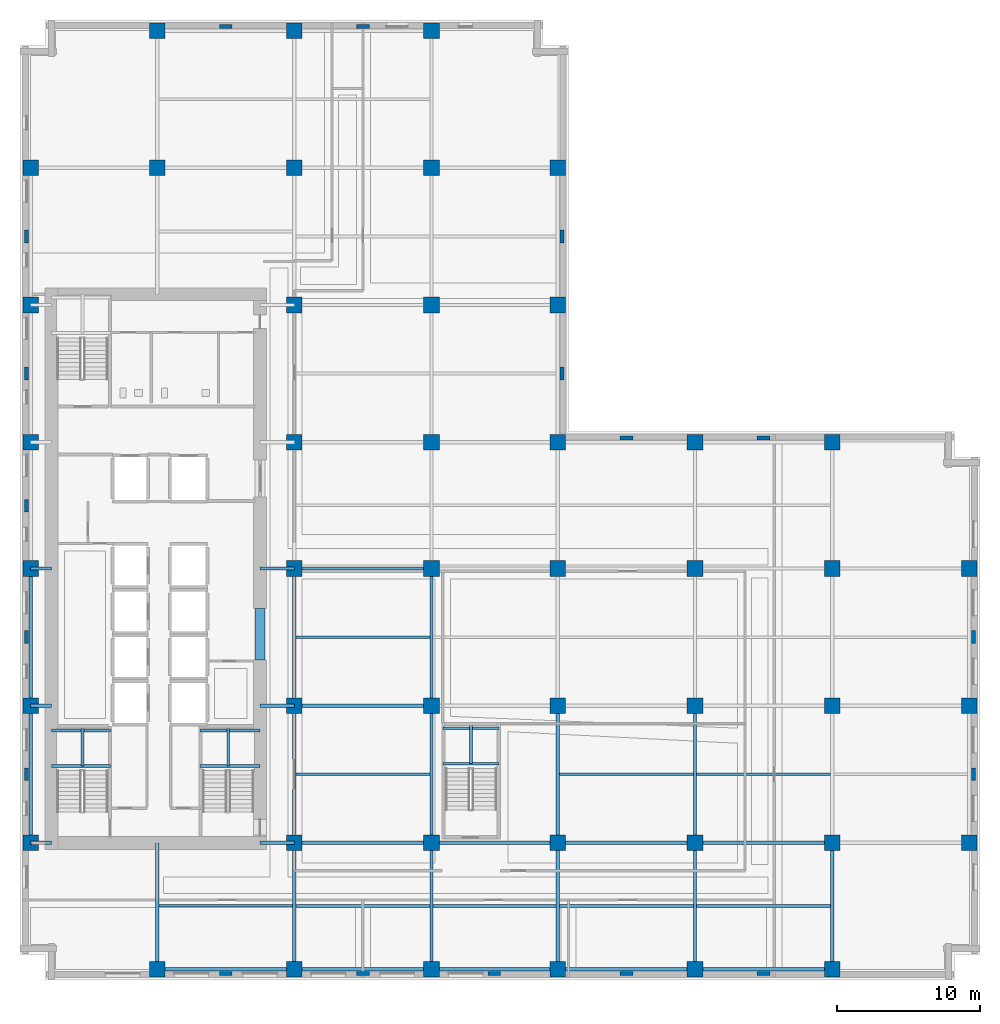
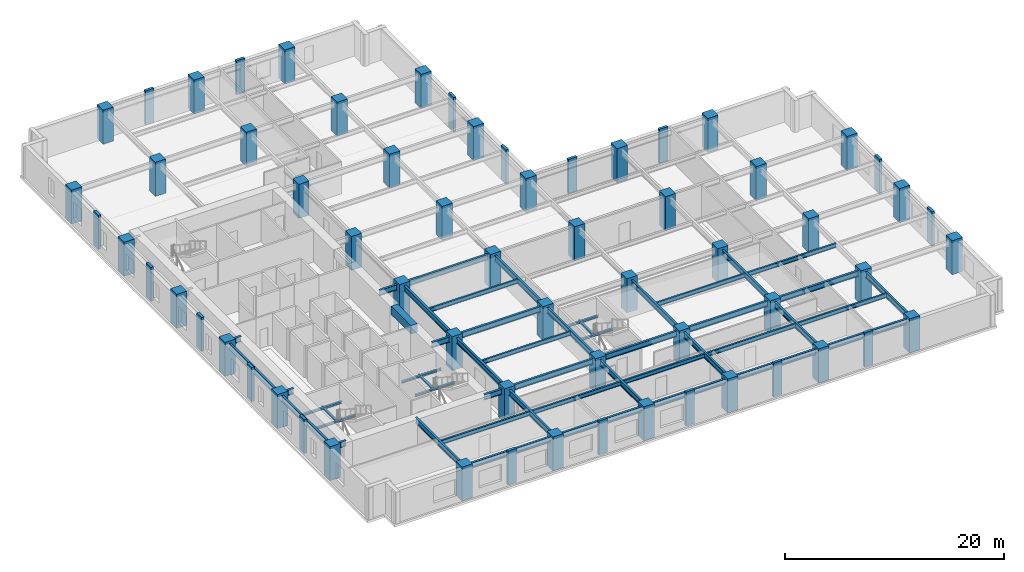
# One storey, part 1 of 13: 63 columns, 50 beams.
"""IFC4 building model written with IfcOpenShell, lengths in metres."""

from ifc_helpers import new_model, si_unit, direction, frame, origin, origin_2d, place, context, subcontext, project, spatial, rectangle, i_section, extrude, material, material_profile, profile_set, type_object, element, save


model = new_model("IFC4")

# Units and contexts
model_context = context("Model", 3, precision=1e-05, world=origin(), true_north=direction((0.0, 1.0)))
body_context = subcontext(model_context, "Body", "Model", "MODEL_VIEW")
ifc_project = project(units=[si_unit("LENGTHUNIT", "METRE"), si_unit("AREAUNIT", "SQUARE_METRE"), si_unit("VOLUMEUNIT", "CUBIC_METRE"), si_unit("PLANEANGLEUNIT", "RADIAN"), si_unit("MASSUNIT", "GRAM", prefix="KILO")], contexts=[model_context])

# Site, building, storey
site_placement = place(None, origin())
site = spatial("IfcSite", under=ifc_project, at=site_placement, CompositionType="ELEMENT")
building_placement = place(site_placement, origin())
building = spatial("IfcBuilding", under=site, at=building_placement, Name="Norrvale University Quadrangle", CompositionType="ELEMENT")
storey_placement = place(building_placement, frame((0.0, 0.0, 69.800048828125)))
storey = spatial("IfcBuildingStorey", under=building, at=storey_placement, Name="L17", CompositionType="ELEMENT", Elevation=69.800048828125)

# Columns
ifc_material_1 = material(Name="Buff Brick Concrete C60/75", Category="concrete")
ifc_material_profile_1 = material_profile(ifc_material_1, rectangle(XDim=0.89990234375, YDim=0.280029296875, at=origin_2d()), Name="Buff Brick Concrete C60/75")
ifc_profile_set_1 = profile_set([ifc_material_profile_1], Name="Buff Brick Concrete C60/75")
column_type_1 = type_object("IfcColumnType", Name="Column Buff Pier 900x280", PredefinedType="PILASTER", material=ifc_profile_set_1)
for number, where, z_axis, x_axis, name in (
    (1, (0.449951171875, 14.39990234375, 0.0), (0.0, 0.0, 1.0), (0.0, 1.0, 0.0), "Exterior Brick Facade Pilaster L17-01"),
    (2, (0.449951171875, 24.0, 0.0), (0.0, 0.0, 1.0), (0.0, 1.0, 0.0), "Exterior Brick Facade Pilaster L17-02"),
    (3, (0.449951171875, 33.199951171875, 0.0), (0.0, 0.0, 1.0), (0.0, 1.0, 0.0), "Exterior Brick Facade Pilaster L17-03"),
    (4, (0.449951171875, 42.449951171875, 0.0), (0.0, 0.0, 1.0), (0.0, 1.0, 0.0), "Exterior Brick Facade Pilaster L17-04"),
    (5, (0.449951171875, 52.050048828125, 0.0), (0.0, 0.0, 1.0), (0.0, 1.0, 0.0), "Exterior Brick Facade Pilaster L17-05"),
    (6, (14.39990234375, 0.449951171875, 0.0), (0.0, 0.0, 1.0), (1.0, 0.0, 0.0), "Exterior Brick Facade Pilaster L17-06"),
    (7, (24.0, 0.449951171875, 0.0), (0.0, 0.0, 1.0), (1.0, 0.0, 0.0), "Exterior Brick Facade Pilaster L17-07"),
    (8, (33.199951171875, 0.449951171875, 0.0), (0.0, 0.0, 1.0), (1.0, 0.0, 0.0), "Exterior Brick Facade Pilaster L17-08"),
    (9, (42.449951171875, 0.449951171875, 0.0), (0.0, 0.0, 1.0), (1.0, 0.0, 0.0), "Exterior Brick Facade Pilaster L17-09"),
    (10, (52.050048828125, 0.449951171875, 0.0), (0.0, 0.0, 1.0), (1.0, 0.0, 0.0), "Exterior Brick Facade Pilaster L17-10"),
    (11, (66.75, 14.39990234375, 0.0), (0.0, 0.0, 1.0), (0.0, 1.0, 0.0), "Exterior Brick Facade Pilaster L17-11"),
    (12, (66.75, 24.0, 0.0), (0.0, 0.0, 1.0), (0.0, 1.0, 0.0), "Exterior Brick Facade Pilaster L17-12"),
    (13, (14.39990234375, 66.75, 0.0), (0.0, 0.0, 1.0), (1.0, 0.0, 0.0), "Exterior Brick Facade Pilaster L17-13"),
    (14, (24.0, 66.75, 0.0), (0.0, 0.0, 1.0), (1.0, 0.0, 0.0), "Exterior Brick Facade Pilaster L17-14"),
    (15, (37.949951171875, 42.449951171875, 0.0), (0.0, 0.0, 1.0), (0.0, 1.0, 0.0), "Exterior Brick Facade Pilaster L17-15"),
    (16, (37.949951171875, 52.050048828125, 0.0), (0.0, 0.0, 1.0), (0.0, 1.0, 0.0), "Exterior Brick Facade Pilaster L17-16"),
    (17, (42.449951171875, 37.949951171875, 0.0), (0.0, 0.0, 1.0), (1.0, 0.0, 0.0), "Exterior Brick Facade Pilaster L17-17"),
    (18, (52.050048828125, 37.949951171875, 0.0), (0.0, 0.0, 1.0), (1.0, 0.0, 0.0), "Exterior Brick Facade Pilaster L17-18"),
):
    element("IfcColumn", number, at=place(storey_placement, frame(where, z_axis=z_axis, x_axis=x_axis)), inside=storey, type_object=column_type_1, Name=name, PredefinedType="PILASTER", context=body_context, shape_type="SweptSolid", body=[
        extrude(rectangle(XDim=0.89990234375, YDim=0.280029296875, at=origin_2d()), origin(), (0.0, 0.0, 1.0), 3.800048828125),
    ])
ifc_material_2 = material(Name="Concrete C80/95", Category="concrete")
ifc_material_profile_2 = material_profile(ifc_material_2, rectangle(XDim=1.10009765625, YDim=1.10009765625, at=origin_2d()), Name="Concrete C80/95")
ifc_profile_set_2 = profile_set([ifc_material_profile_2], Name="Concrete C80/95")
column_type_2 = type_object("IfcColumnType", Name="Column Tower Z1 1100x1100", PredefinedType="COLUMN", material=ifc_profile_set_2)
for number, where, z_axis, x_axis, name in (
    (19, (0.75, 9.60009765625, 0.0), (0.0, 0.0, 1.0), (1.0, 0.0, 0.0), "Tower Column L17-T01"),
    (20, (0.75, 19.199951171875, 0.0), (0.0, 0.0, 1.0), (1.0, 0.0, 0.0), "Tower Column L17-T02"),
    (21, (0.75, 28.800048828125, 0.0), (0.0, 0.0, 1.0), (1.0, 0.0, 0.0), "Tower Column L17-T03"),
    (22, (0.75, 37.64990234375, 0.0), (0.0, 0.0, 1.0), (1.0, 0.0, 0.0), "Tower Column L17-T04"),
    (23, (0.75, 47.25, 0.0), (0.0, 0.0, 1.0), (1.0, 0.0, 0.0), "Tower Column L17-T05"),
    (24, (0.75, 56.85009765625, 0.0), (0.0, 0.0, 1.0), (1.0, 0.0, 0.0), "Tower Column L17-T06"),
    (25, (9.60009765625, 0.75, 0.0), (0.0, 0.0, 1.0), (1.0, 0.0, 0.0), "Tower Column L17-T07"),
    (26, (9.60009765625, 56.85009765625, 0.0), (0.0, 0.0, 1.0), (1.0, 0.0, 0.0), "Tower Column L17-T08"),
    (27, (9.60009765625, 66.449951171875, 0.0), (0.0, 0.0, 1.0), (1.0, 0.0, 0.0), "Tower Column L17-T09"),
    (28, (19.199951171875, 0.75, 0.0), (0.0, 0.0, 1.0), (1.0, 0.0, 0.0), "Tower Column L17-T10"),
    (29, (19.199951171875, 9.60009765625, 0.0), (0.0, 0.0, 1.0), (1.0, 0.0, 0.0), "Tower Column L17-T11"),
    (30, (19.199951171875, 19.199951171875, 0.0), (0.0, 0.0, 1.0), (1.0, 0.0, 0.0), "Tower Column L17-T12"),
    (31, (19.199951171875, 28.800048828125, 0.0), (0.0, 0.0, 1.0), (1.0, 0.0, 0.0), "Tower Column L17-T13"),
    (32, (19.199951171875, 37.64990234375, 0.0), (0.0, 0.0, 1.0), (1.0, 0.0, 0.0), "Tower Column L17-T14"),
    (33, (19.199951171875, 47.25, 0.0), (0.0, 0.0, 1.0), (1.0, 0.0, 0.0), "Tower Column L17-T15"),
    (34, (19.199951171875, 56.85009765625, 0.0), (0.0, 0.0, 1.0), (1.0, 0.0, 0.0), "Tower Column L17-T16"),
    (35, (19.199951171875, 66.449951171875, 0.0), (0.0, 0.0, 1.0), (1.0, 0.0, 0.0), "Tower Column L17-T17"),
    (36, (28.800048828125, 0.75, 0.0), (0.0, 0.0, 1.0), (1.0, 0.0, 0.0), "Tower Column L17-T18"),
    (37, (28.800048828125, 9.60009765625, 0.0), (0.0, 0.0, 1.0), (1.0, 0.0, 0.0), "Tower Column L17-T19"),
    (38, (28.800048828125, 19.199951171875, 0.0), (0.0, 0.0, 1.0), (1.0, 0.0, 0.0), "Tower Column L17-T20"),
    (39, (28.800048828125, 28.800048828125, 0.0), (0.0, 0.0, 1.0), (1.0, 0.0, 0.0), "Tower Column L17-T21"),
    (40, (28.800048828125, 37.64990234375, 0.0), (0.0, 0.0, 1.0), (1.0, 0.0, 0.0), "Tower Column L17-T22"),
    (41, (28.800048828125, 47.25, 0.0), (0.0, 0.0, 1.0), (1.0, 0.0, 0.0), "Tower Column L17-T23"),
    (42, (28.800048828125, 56.85009765625, 0.0), (0.0, 0.0, 1.0), (1.0, 0.0, 0.0), "Tower Column L17-T24"),
    (43, (28.800048828125, 66.449951171875, 0.0), (0.0, 0.0, 1.0), (1.0, 0.0, 0.0), "Tower Column L17-T25"),
    (44, (37.64990234375, 0.75, 0.0), (0.0, 0.0, 1.0), (1.0, 0.0, 0.0), "Tower Column L17-T26"),
    (45, (37.64990234375, 9.60009765625, 0.0), (0.0, 0.0, 1.0), (1.0, 0.0, 0.0), "Tower Column L17-T27"),
    (46, (37.64990234375, 19.199951171875, 0.0), (0.0, 0.0, 1.0), (1.0, 0.0, 0.0), "Tower Column L17-T28"),
    (47, (37.64990234375, 28.800048828125, 0.0), (0.0, 0.0, 1.0), (1.0, 0.0, 0.0), "Tower Column L17-T29"),
    (48, (37.64990234375, 37.64990234375, 0.0), (0.0, 0.0, 1.0), (1.0, 0.0, 0.0), "Tower Column L17-T30"),
    (49, (37.64990234375, 47.25, 0.0), (0.0, 0.0, 1.0), (1.0, 0.0, 0.0), "Tower Column L17-T31"),
    (50, (37.64990234375, 56.85009765625, 0.0), (0.0, 0.0, 1.0), (1.0, 0.0, 0.0), "Tower Column L17-T32"),
    (51, (47.25, 0.75, 0.0), (0.0, 0.0, 1.0), (1.0, 0.0, 0.0), "Tower Column L17-T33"),
    (52, (47.25, 9.60009765625, 0.0), (0.0, 0.0, 1.0), (1.0, 0.0, 0.0), "Tower Column L17-T34"),
    (53, (47.25, 19.199951171875, 0.0), (0.0, 0.0, 1.0), (1.0, 0.0, 0.0), "Tower Column L17-T35"),
    (54, (47.25, 28.800048828125, 0.0), (0.0, 0.0, 1.0), (1.0, 0.0, 0.0), "Tower Column L17-T36"),
    (55, (47.25, 37.64990234375, 0.0), (0.0, 0.0, 1.0), (1.0, 0.0, 0.0), "Tower Column L17-T37"),
    (56, (56.85009765625, 0.75, 0.0), (0.0, 0.0, 1.0), (1.0, 0.0, 0.0), "Tower Column L17-T38"),
    (57, (56.85009765625, 9.60009765625, 0.0), (0.0, 0.0, 1.0), (1.0, 0.0, 0.0), "Tower Column L17-T39"),
    (58, (56.85009765625, 19.199951171875, 0.0), (0.0, 0.0, 1.0), (1.0, 0.0, 0.0), "Tower Column L17-T40"),
    (59, (56.85009765625, 28.800048828125, 0.0), (0.0, 0.0, 1.0), (1.0, 0.0, 0.0), "Tower Column L17-T41"),
    (60, (56.85009765625, 37.64990234375, 0.0), (0.0, 0.0, 1.0), (1.0, 0.0, 0.0), "Tower Column L17-T42"),
    (61, (66.449951171875, 9.60009765625, 0.0), (0.0, 0.0, 1.0), (1.0, 0.0, 0.0), "Tower Column L17-T43"),
    (62, (66.449951171875, 19.199951171875, 0.0), (0.0, 0.0, 1.0), (1.0, 0.0, 0.0), "Tower Column L17-T44"),
    (63, (66.449951171875, 28.800048828125, 0.0), (0.0, 0.0, 1.0), (1.0, 0.0, 0.0), "Tower Column L17-T45"),
):
    element("IfcColumn", number, at=place(storey_placement, frame(where, z_axis=z_axis, x_axis=x_axis)), inside=storey, type_object=column_type_2, Name=name, PredefinedType="COLUMN", context=body_context, shape_type="SweptSolid", body=[
        extrude(rectangle(XDim=1.10009765625, YDim=1.10009765625, at=origin_2d()), origin(), (0.0, 0.0, 1.0), 3.800048828125),
    ])

# Beams
ifc_material_profile_3 = material_profile(ifc_material_2, rectangle(XDim=0.699951171875, YDim=0.949951171875, at=origin_2d()), Name="Concrete C80/95")
ifc_profile_set_3 = profile_set([ifc_material_profile_3], Name="Concrete C80/95")
beam_type_1 = type_object("IfcBeamType", Name="Beam Core Link 700x950", PredefinedType="LINTEL", material=ifc_profile_set_3)
beam_1_placement = place(storey_placement, frame((16.800048828125, 22.39990234375, 3.06494140625), z_axis=(0.0, 1.0, 0.0), x_axis=(-1.0, 0.0, 0.0)))
element("IfcBeam", 64, at=beam_1_placement, inside=storey, type_object=beam_type_1, Name="Core Coupling Lintel Beam L17-1", PredefinedType="LINTEL", context=body_context, shape_type="SweptSolid", body=[
    extrude(rectangle(XDim=0.699951171875, YDim=0.949951171875, at=origin_2d()), origin(), (0.0, 0.0, 1.0), 3.60009765625),
])
ifc_material_3 = material(Name="Steel 350W", Category="steel")
ifc_material_profile_4 = material_profile(ifc_material_3, i_section(OverallWidth=0.18994140625, OverallDepth=0.45703125, WebThickness=0.009033203125, FlangeThickness=0.014404296875, FilletRadius=0.012939453125, at=origin_2d()), Name="Steel 350W")
ifc_profile_set_4 = profile_set([ifc_material_profile_4], Name="Steel 350W")
beam_type_2 = type_object("IfcBeamType", Name="Beam Floor W460x74", PredefinedType="JOIST", material=ifc_profile_set_4)
for number, where, z_axis, x_axis, name in (
    (65, (19.31494140625, 5.175048828125, 3.3115234375), (1.0, 0.0, 0.0), (0.0, 1.0, 0.0), "Beam Floor W460x74 BM-L17-J080"),
    (66, (19.31494140625, 14.39990234375, 3.3115234375), (1.0, 0.0, 0.0), (0.0, 1.0, 0.0), "Beam Floor W460x74 BM-L17-J081"),
    (67, (19.31494140625, 24.0, 3.3115234375), (1.0, 0.0, 0.0), (0.0, 1.0, 0.0), "Beam Floor W460x74 BM-L17-J082"),
):
    element("IfcBeam", number, at=place(storey_placement, frame(where, z_axis=z_axis, x_axis=x_axis)), inside=storey, type_object=beam_type_2, Name=name, PredefinedType="JOIST", context=body_context, shape_type="SweptSolid", body=[
        extrude(i_section(OverallWidth=0.18994140625, OverallDepth=0.45703125, WebThickness=0.009033203125, FlangeThickness=0.014404296875, FilletRadius=0.012939453125, at=origin_2d()), origin(), (0.0, 0.0, 1.0), 9.3701171875),
    ])
beam_2_placement = place(storey_placement, frame((28.9150390625, 5.175048828125, 3.3115234375), z_axis=(1.0, 0.0, 0.0), x_axis=(0.0, 1.0, 0.0)))
element("IfcBeam", 68, at=beam_2_placement, inside=storey, type_object=beam_type_2, Name="Beam Floor W460x74 BM-L17-J087", PredefinedType="JOIST", context=body_context, shape_type="SweptSolid", body=[
    extrude(i_section(OverallWidth=0.18994140625, OverallDepth=0.45703125, WebThickness=0.009033203125, FlangeThickness=0.014404296875, FilletRadius=0.012939453125, at=origin_2d()), origin(), (0.0, 0.0, 1.0), 8.619873046875),
])
for number, where, z_axis, x_axis, name in (
    (69, (37.764892578125, 5.175048828125, 3.3115234375), (1.0, 0.0, 0.0), (0.0, 1.0, 0.0), "Beam Floor W460x74 BM-L17-J092"),
    (70, (37.764892578125, 14.39990234375, 3.3115234375), (1.0, 0.0, 0.0), (0.0, 1.0, 0.0), "Beam Floor W460x74 BM-L17-J093"),
    (71, (47.364990234375, 5.175048828125, 3.3115234375), (1.0, 0.0, 0.0), (0.0, 1.0, 0.0), "Beam Floor W460x74 BM-L17-J096"),
    (72, (47.364990234375, 14.39990234375, 3.3115234375), (1.0, 0.0, 0.0), (0.0, 1.0, 0.0), "Beam Floor W460x74 BM-L17-J097"),
):
    element("IfcBeam", number, at=place(storey_placement, frame(where, z_axis=z_axis, x_axis=x_axis)), inside=storey, type_object=beam_type_2, Name=name, PredefinedType="JOIST", context=body_context, shape_type="SweptSolid", body=[
        extrude(i_section(OverallWidth=0.18994140625, OverallDepth=0.45703125, WebThickness=0.009033203125, FlangeThickness=0.014404296875, FilletRadius=0.012939453125, at=origin_2d()), origin(), (0.0, 0.0, 1.0), 9.3701171875),
    ])
beam_3_placement = place(storey_placement, frame((9.715087890625, 5.199951171875, 3.3115234375), z_axis=(1.0, 0.0, 0.0), x_axis=(0.0, 1.0, 0.0)))
element("IfcBeam", 73, at=beam_3_placement, inside=storey, type_object=beam_type_2, Name="Beam Floor W460x74 BM-L17-JCS103", PredefinedType="JOIST", context=body_context, shape_type="SweptSolid", body=[
    extrude(i_section(OverallWidth=0.18994140625, OverallDepth=0.45703125, WebThickness=0.009033203125, FlangeThickness=0.014404296875, FilletRadius=0.012939453125, at=origin_2d()), origin(), (0.0, 0.0, 1.0), 9.369873046875),
])
ifc_material_profile_5 = material_profile(ifc_material_3, i_section(OverallWidth=0.22998046875, OverallDepth=0.616943359375, WebThickness=0.01318359375, FlangeThickness=0.022216796875, FilletRadius=0.01611328125, at=origin_2d()), Name="Steel 350W")
ifc_profile_set_5 = profile_set([ifc_material_profile_5], Name="Steel 350W")
beam_type_3 = type_object("IfcBeamType", Name="Beam Floor W610x140", PredefinedType="BEAM", material=ifc_profile_set_5)
beam_4_placement = place(storey_placement, frame((9.60009765625, 0.75, 3.2314453125), z_axis=(1.0, 0.0, 0.0), x_axis=(0.0, 1.0, 0.0)))
element("IfcBeam", 74, at=beam_4_placement, inside=storey, type_object=beam_type_3, Name="Beam Floor W610x140 BM-L17-GX001", PredefinedType="BEAM", context=body_context, shape_type="SweptSolid", body=[
    extrude(i_section(OverallWidth=0.22998046875, OverallDepth=0.616943359375, WebThickness=0.01318359375, FlangeThickness=0.022216796875, FilletRadius=0.01611328125, at=origin_2d()), origin(), (0.0, 0.0, 1.0), 9.599853515625),
])
beam_5_placement = place(storey_placement, frame((19.199951171875, 0.75, 3.2314453125), z_axis=(1.0, 0.0, 0.0), x_axis=(0.0, 1.0, 0.0)))
element("IfcBeam", 75, at=beam_5_placement, inside=storey, type_object=beam_type_3, Name="Beam Floor W610x140 BM-L17-GX002", PredefinedType="BEAM", context=body_context, shape_type="SweptSolid", body=[
    extrude(i_section(OverallWidth=0.22998046875, OverallDepth=0.616943359375, WebThickness=0.01318359375, FlangeThickness=0.022216796875, FilletRadius=0.01611328125, at=origin_2d()), origin(), (0.0, 0.0, 1.0), 9.60009765625),
])
beam_6_placement = place(storey_placement, frame((28.800048828125, 0.75, 3.2314453125), z_axis=(1.0, 0.0, 0.0), x_axis=(0.0, 1.0, 0.0)))
element("IfcBeam", 76, at=beam_6_placement, inside=storey, type_object=beam_type_3, Name="Beam Floor W610x140 BM-L17-GX003", PredefinedType="BEAM", context=body_context, shape_type="SweptSolid", body=[
    extrude(i_section(OverallWidth=0.22998046875, OverallDepth=0.616943359375, WebThickness=0.01318359375, FlangeThickness=0.022216796875, FilletRadius=0.01611328125, at=origin_2d()), origin(), (0.0, 0.0, 1.0), 8.849853515625),
])
for number, where, z_axis, x_axis, name in (
    (77, (37.64990234375, 0.75, 3.2314453125), (1.0, 0.0, 0.0), (0.0, 1.0, 0.0), "Beam Floor W610x140 BM-L17-GX004"),
    (78, (47.25, 0.75, 3.2314453125), (1.0, 0.0, 0.0), (0.0, 1.0, 0.0), "Beam Floor W610x140 BM-L17-GX005"),
    (79, (19.199951171875, 9.60009765625, 3.2314453125), (1.0, 0.0, 0.0), (0.0, 1.0, 0.0), "Beam Floor W610x140 BM-L17-GX006"),
):
    element("IfcBeam", number, at=place(storey_placement, frame(where, z_axis=z_axis, x_axis=x_axis)), inside=storey, type_object=beam_type_3, Name=name, PredefinedType="BEAM", context=body_context, shape_type="SweptSolid", body=[
        extrude(i_section(OverallWidth=0.22998046875, OverallDepth=0.616943359375, WebThickness=0.01318359375, FlangeThickness=0.022216796875, FilletRadius=0.01611328125, at=origin_2d()), origin(), (0.0, 0.0, 1.0), 9.60009765625),
    ])
beam_7_placement = place(storey_placement, frame((28.800048828125, 9.60009765625, 3.2314453125), z_axis=(1.0, 0.0, 0.0), x_axis=(0.0, 1.0, 0.0)))
element("IfcBeam", 80, at=beam_7_placement, inside=storey, type_object=beam_type_3, Name="Beam Floor W610x140 BM-L17-GX007", PredefinedType="BEAM", context=body_context, shape_type="SweptSolid", body=[
    extrude(i_section(OverallWidth=0.22998046875, OverallDepth=0.616943359375, WebThickness=0.01318359375, FlangeThickness=0.022216796875, FilletRadius=0.01611328125, at=origin_2d()), origin(), (0.0, 0.0, 1.0), 8.849853515625),
])
for number, where, z_axis, x_axis, name in (
    (81, (37.64990234375, 9.60009765625, 3.2314453125), (1.0, 0.0, 0.0), (0.0, 1.0, 0.0), "Beam Floor W610x140 BM-L17-GX008"),
    (82, (47.25, 9.60009765625, 3.2314453125), (1.0, 0.0, 0.0), (0.0, 1.0, 0.0), "Beam Floor W610x140 BM-L17-GX009"),
    (83, (19.199951171875, 19.199951171875, 3.2314453125), (1.0, 0.0, 0.0), (0.0, 1.0, 0.0), "Beam Floor W610x140 BM-L17-GX011"),
    (84, (19.199951171875, 28.800048828125, 3.2314453125), (1.0, 0.0, 0.0), (0.0, 1.0, 0.0), "Beam Floor W610x140 BM-L17-GX016"),
):
    element("IfcBeam", number, at=place(storey_placement, frame(where, z_axis=z_axis, x_axis=x_axis)), inside=storey, type_object=beam_type_3, Name=name, PredefinedType="BEAM", context=body_context, shape_type="SweptSolid", body=[
        extrude(i_section(OverallWidth=0.22998046875, OverallDepth=0.616943359375, WebThickness=0.01318359375, FlangeThickness=0.022216796875, FilletRadius=0.01611328125, at=origin_2d()), origin(), (0.0, 0.0, 1.0), 9.60009765625),
    ])
beam_8_placement = place(storey_placement, frame((0.75, 9.60009765625, 3.2314453125), z_axis=(0.0, 1.0, 0.0), x_axis=(-1.0, 0.0, 0.0)))
element("IfcBeam", 85, at=beam_8_placement, inside=storey, type_object=beam_type_3, Name="Beam Floor W610x140 BM-L17-GY033", PredefinedType="BEAM", context=body_context, shape_type="SweptSolid", body=[
    extrude(i_section(OverallWidth=0.22998046875, OverallDepth=0.616943359375, WebThickness=0.01318359375, FlangeThickness=0.022216796875, FilletRadius=0.01611328125, at=origin_2d()), origin(), (0.0, 0.0, 1.0), 9.599853515625),
])
beam_9_placement = place(storey_placement, frame((0.75, 19.199951171875, 3.2314453125), z_axis=(0.0, 1.0, 0.0), x_axis=(-1.0, 0.0, 0.0)))
element("IfcBeam", 86, at=beam_9_placement, inside=storey, type_object=beam_type_3, Name="Beam Floor W610x140 BM-L17-GY034", PredefinedType="BEAM", context=body_context, shape_type="SweptSolid", body=[
    extrude(i_section(OverallWidth=0.22998046875, OverallDepth=0.616943359375, WebThickness=0.01318359375, FlangeThickness=0.022216796875, FilletRadius=0.01611328125, at=origin_2d()), origin(), (0.0, 0.0, 1.0), 9.60009765625),
])
beam_10_placement = place(storey_placement, frame((19.199951171875, 0.75, 3.2314453125), z_axis=(0.0, 1.0, 0.0), x_axis=(-1.0, 0.0, 0.0)))
element("IfcBeam", 87, at=beam_10_placement, inside=storey, type_object=beam_type_3, Name="Beam Floor W610x140 BM-L17-GY039", PredefinedType="BEAM", context=body_context, shape_type="SweptSolid", body=[
    extrude(i_section(OverallWidth=0.22998046875, OverallDepth=0.616943359375, WebThickness=0.01318359375, FlangeThickness=0.022216796875, FilletRadius=0.01611328125, at=origin_2d()), origin(), (0.0, 0.0, 1.0), 8.85009765625),
])
beam_11_placement = place(storey_placement, frame((19.199951171875, 9.60009765625, 3.2314453125), z_axis=(0.0, 1.0, 0.0), x_axis=(-1.0, 0.0, 0.0)))
element("IfcBeam", 88, at=beam_11_placement, inside=storey, type_object=beam_type_3, Name="Beam Floor W610x140 BM-L17-GY040", PredefinedType="BEAM", context=body_context, shape_type="SweptSolid", body=[
    extrude(i_section(OverallWidth=0.22998046875, OverallDepth=0.616943359375, WebThickness=0.01318359375, FlangeThickness=0.022216796875, FilletRadius=0.01611328125, at=origin_2d()), origin(), (0.0, 0.0, 1.0), 9.599853515625),
])
beam_12_placement = place(storey_placement, frame((19.199951171875, 19.199951171875, 3.2314453125), z_axis=(0.0, 1.0, 0.0), x_axis=(-1.0, 0.0, 0.0)))
element("IfcBeam", 89, at=beam_12_placement, inside=storey, type_object=beam_type_3, Name="Beam Floor W610x140 BM-L17-GY041", PredefinedType="BEAM", context=body_context, shape_type="SweptSolid", body=[
    extrude(i_section(OverallWidth=0.22998046875, OverallDepth=0.616943359375, WebThickness=0.01318359375, FlangeThickness=0.022216796875, FilletRadius=0.01611328125, at=origin_2d()), origin(), (0.0, 0.0, 1.0), 9.60009765625),
])
beam_13_placement = place(storey_placement, frame((28.800048828125, 0.75, 3.2314453125), z_axis=(0.0, 1.0, 0.0), x_axis=(-1.0, 0.0, 0.0)))
element("IfcBeam", 90, at=beam_13_placement, inside=storey, type_object=beam_type_3, Name="Beam Floor W610x140 BM-L17-GY046", PredefinedType="BEAM", context=body_context, shape_type="SweptSolid", body=[
    extrude(i_section(OverallWidth=0.22998046875, OverallDepth=0.616943359375, WebThickness=0.01318359375, FlangeThickness=0.022216796875, FilletRadius=0.01611328125, at=origin_2d()), origin(), (0.0, 0.0, 1.0), 8.85009765625),
])
beam_14_placement = place(storey_placement, frame((28.800048828125, 9.60009765625, 3.2314453125), z_axis=(0.0, 1.0, 0.0), x_axis=(-1.0, 0.0, 0.0)))
element("IfcBeam", 91, at=beam_14_placement, inside=storey, type_object=beam_type_3, Name="Beam Floor W610x140 BM-L17-GY047", PredefinedType="BEAM", context=body_context, shape_type="SweptSolid", body=[
    extrude(i_section(OverallWidth=0.22998046875, OverallDepth=0.616943359375, WebThickness=0.01318359375, FlangeThickness=0.022216796875, FilletRadius=0.01611328125, at=origin_2d()), origin(), (0.0, 0.0, 1.0), 9.599853515625),
])
beam_15_placement = place(storey_placement, frame((28.800048828125, 19.199951171875, 3.2314453125), z_axis=(0.0, 1.0, 0.0), x_axis=(-1.0, 0.0, 0.0)))
element("IfcBeam", 92, at=beam_15_placement, inside=storey, type_object=beam_type_3, Name="Beam Floor W610x140 BM-L17-GY048", PredefinedType="BEAM", context=body_context, shape_type="SweptSolid", body=[
    extrude(i_section(OverallWidth=0.22998046875, OverallDepth=0.616943359375, WebThickness=0.01318359375, FlangeThickness=0.022216796875, FilletRadius=0.01611328125, at=origin_2d()), origin(), (0.0, 0.0, 1.0), 9.60009765625),
])
beam_16_placement = place(storey_placement, frame((37.64990234375, 0.75, 3.2314453125), z_axis=(0.0, 1.0, 0.0), x_axis=(-1.0, 0.0, 0.0)))
element("IfcBeam", 93, at=beam_16_placement, inside=storey, type_object=beam_type_3, Name="Beam Floor W610x140 BM-L17-GY053", PredefinedType="BEAM", context=body_context, shape_type="SweptSolid", body=[
    extrude(i_section(OverallWidth=0.22998046875, OverallDepth=0.616943359375, WebThickness=0.01318359375, FlangeThickness=0.022216796875, FilletRadius=0.01611328125, at=origin_2d()), origin(), (0.0, 0.0, 1.0), 8.85009765625),
])
beam_17_placement = place(storey_placement, frame((37.64990234375, 9.60009765625, 3.2314453125), z_axis=(0.0, 1.0, 0.0), x_axis=(-1.0, 0.0, 0.0)))
element("IfcBeam", 94, at=beam_17_placement, inside=storey, type_object=beam_type_3, Name="Beam Floor W610x140 BM-L17-GY054", PredefinedType="BEAM", context=body_context, shape_type="SweptSolid", body=[
    extrude(i_section(OverallWidth=0.22998046875, OverallDepth=0.616943359375, WebThickness=0.01318359375, FlangeThickness=0.022216796875, FilletRadius=0.01611328125, at=origin_2d()), origin(), (0.0, 0.0, 1.0), 9.599853515625),
])
beam_18_placement = place(storey_placement, frame((47.25, 0.75, 3.2314453125), z_axis=(0.0, 1.0, 0.0), x_axis=(-1.0, 0.0, 0.0)))
element("IfcBeam", 95, at=beam_18_placement, inside=storey, type_object=beam_type_3, Name="Beam Floor W610x140 BM-L17-GY059", PredefinedType="BEAM", context=body_context, shape_type="SweptSolid", body=[
    extrude(i_section(OverallWidth=0.22998046875, OverallDepth=0.616943359375, WebThickness=0.01318359375, FlangeThickness=0.022216796875, FilletRadius=0.01611328125, at=origin_2d()), origin(), (0.0, 0.0, 1.0), 8.85009765625),
])
beam_19_placement = place(storey_placement, frame((47.25, 9.60009765625, 3.2314453125), z_axis=(0.0, 1.0, 0.0), x_axis=(-1.0, 0.0, 0.0)))
element("IfcBeam", 96, at=beam_19_placement, inside=storey, type_object=beam_type_3, Name="Beam Floor W610x140 BM-L17-GY060", PredefinedType="BEAM", context=body_context, shape_type="SweptSolid", body=[
    extrude(i_section(OverallWidth=0.22998046875, OverallDepth=0.616943359375, WebThickness=0.01318359375, FlangeThickness=0.022216796875, FilletRadius=0.01611328125, at=origin_2d()), origin(), (0.0, 0.0, 1.0), 9.599853515625),
])
beam_20_placement = place(storey_placement, frame((56.85009765625, 0.75, 3.2314453125), z_axis=(0.0, 1.0, 0.0), x_axis=(-1.0, 0.0, 0.0)))
element("IfcBeam", 97, at=beam_20_placement, inside=storey, type_object=beam_type_3, Name="Beam Floor W610x140 BM-L17-GY063", PredefinedType="BEAM", context=body_context, shape_type="SweptSolid", body=[
    extrude(i_section(OverallWidth=0.22998046875, OverallDepth=0.616943359375, WebThickness=0.01318359375, FlangeThickness=0.022216796875, FilletRadius=0.01611328125, at=origin_2d()), origin(), (0.0, 0.0, 1.0), 8.85009765625),
])
beam_21_placement = place(storey_placement, frame((0.75, 9.60009765625, 3.2314453125), z_axis=(1.0, 0.0, 0.0), x_axis=(0.0, 1.0, 0.0)))
element("IfcBeam", 98, at=beam_21_placement, inside=storey, type_object=beam_type_3, Name="Beam Floor W610x140 BM-L17-GCW069", PredefinedType="BEAM", context=body_context, shape_type="SweptSolid", body=[
    extrude(i_section(OverallWidth=0.22998046875, OverallDepth=0.616943359375, WebThickness=0.01318359375, FlangeThickness=0.022216796875, FilletRadius=0.01611328125, at=origin_2d()), origin(), (0.0, 0.0, 1.0), 1.449951171875),
])
beam_22_placement = place(storey_placement, frame((16.800048828125, 9.60009765625, 3.2314453125), z_axis=(1.0, 0.0, 0.0), x_axis=(0.0, 1.0, 0.0)))
element("IfcBeam", 99, at=beam_22_placement, inside=storey, type_object=beam_type_3, Name="Beam Floor W610x140 BM-L17-GCE070", PredefinedType="BEAM", context=body_context, shape_type="SweptSolid", body=[
    extrude(i_section(OverallWidth=0.22998046875, OverallDepth=0.616943359375, WebThickness=0.01318359375, FlangeThickness=0.022216796875, FilletRadius=0.01611328125, at=origin_2d()), origin(), (0.0, 0.0, 1.0), 2.39990234375),
])
beam_23_placement = place(storey_placement, frame((0.75, 19.199951171875, 3.2314453125), z_axis=(1.0, 0.0, 0.0), x_axis=(0.0, 1.0, 0.0)))
element("IfcBeam", 100, at=beam_23_placement, inside=storey, type_object=beam_type_3, Name="Beam Floor W610x140 BM-L17-GCW071", PredefinedType="BEAM", context=body_context, shape_type="SweptSolid", body=[
    extrude(i_section(OverallWidth=0.22998046875, OverallDepth=0.616943359375, WebThickness=0.01318359375, FlangeThickness=0.022216796875, FilletRadius=0.01611328125, at=origin_2d()), origin(), (0.0, 0.0, 1.0), 1.449951171875),
])
beam_24_placement = place(storey_placement, frame((16.800048828125, 19.199951171875, 3.2314453125), z_axis=(1.0, 0.0, 0.0), x_axis=(0.0, 1.0, 0.0)))
element("IfcBeam", 101, at=beam_24_placement, inside=storey, type_object=beam_type_3, Name="Beam Floor W610x140 BM-L17-GCE072", PredefinedType="BEAM", context=body_context, shape_type="SweptSolid", body=[
    extrude(i_section(OverallWidth=0.22998046875, OverallDepth=0.616943359375, WebThickness=0.01318359375, FlangeThickness=0.022216796875, FilletRadius=0.01611328125, at=origin_2d()), origin(), (0.0, 0.0, 1.0), 2.39990234375),
])
beam_25_placement = place(storey_placement, frame((0.75, 28.800048828125, 3.2314453125), z_axis=(1.0, 0.0, 0.0), x_axis=(0.0, 1.0, 0.0)))
element("IfcBeam", 102, at=beam_25_placement, inside=storey, type_object=beam_type_3, Name="Beam Floor W610x140 BM-L17-GCW073", PredefinedType="BEAM", context=body_context, shape_type="SweptSolid", body=[
    extrude(i_section(OverallWidth=0.22998046875, OverallDepth=0.616943359375, WebThickness=0.01318359375, FlangeThickness=0.022216796875, FilletRadius=0.01611328125, at=origin_2d()), origin(), (0.0, 0.0, 1.0), 1.449951171875),
])
beam_26_placement = place(storey_placement, frame((16.800048828125, 28.800048828125, 3.2314453125), z_axis=(1.0, 0.0, 0.0), x_axis=(0.0, 1.0, 0.0)))
element("IfcBeam", 103, at=beam_26_placement, inside=storey, type_object=beam_type_3, Name="Beam Floor W610x140 BM-L17-GCE074", PredefinedType="BEAM", context=body_context, shape_type="SweptSolid", body=[
    extrude(i_section(OverallWidth=0.22998046875, OverallDepth=0.616943359375, WebThickness=0.01318359375, FlangeThickness=0.022216796875, FilletRadius=0.01611328125, at=origin_2d()), origin(), (0.0, 0.0, 1.0), 2.39990234375),
])
beam_27_placement = place(storey_placement, frame((9.60009765625, 0.75, 3.2314453125), z_axis=(0.0, 1.0, 0.0), x_axis=(-1.0, 0.0, 0.0)))
element("IfcBeam", 104, at=beam_27_placement, inside=storey, type_object=beam_type_3, Name="Beam Floor W610x140 BM-L17-GCS102", PredefinedType="BEAM", context=body_context, shape_type="SweptSolid", body=[
    extrude(i_section(OverallWidth=0.22998046875, OverallDepth=0.616943359375, WebThickness=0.01318359375, FlangeThickness=0.022216796875, FilletRadius=0.01611328125, at=origin_2d()), origin(), (0.0, 0.0, 1.0), 8.85009765625),
])
ifc_material_profile_6 = material_profile(ifc_material_3, i_section(OverallWidth=0.201904296875, OverallDepth=0.2470703125, WebThickness=0.00732421875, FlangeThickness=0.010986328125, FilletRadius=0.011962890625, at=origin_2d()), Name="Steel 350W")
ifc_profile_set_6 = profile_set([ifc_material_profile_6], Name="Steel 350W")
beam_type_4 = type_object("IfcBeamType", Name="Beam Stair W250x49", PredefinedType="BEAM", material=ifc_profile_set_6)
for number, where, z_axis, x_axis, name in (
    (105, (2.199951171875, 14.989990234375, 1.576416015625), (1.0, 0.0, 0.0), (0.0, 1.0, 0.0), "Stair Mid-Landing Front Beam ST-01 L17"),
    (106, (2.199951171875, 17.469970703125, 1.576416015625), (1.0, 0.0, 0.0), (0.0, 1.0, 0.0), "Stair Mid-Landing Rear Beam ST-01 L17"),
):
    element("IfcBeam", number, at=place(storey_placement, frame(where, z_axis=z_axis, x_axis=x_axis)), inside=storey, type_object=beam_type_4, Name=name, PredefinedType="BEAM", context=body_context, shape_type="SweptSolid", body=[
        extrude(i_section(OverallWidth=0.201904296875, OverallDepth=0.2470703125, WebThickness=0.00732421875, FlangeThickness=0.010986328125, FilletRadius=0.011962890625, at=origin_2d()), origin(), (0.0, 0.0, 1.0), 4.14013671875),
    ])
for number, where, z_axis, x_axis, name in (
    (107, (12.610107421875, 14.989990234375, 1.576416015625), (1.0, 0.0, 0.0), (0.0, 1.0, 0.0), "Stair Mid-Landing Front Beam ST-03 L17"),
    (108, (12.610107421875, 17.469970703125, 1.576416015625), (1.0, 0.0, 0.0), (0.0, 1.0, 0.0), "Stair Mid-Landing Rear Beam ST-03 L17"),
):
    element("IfcBeam", number, at=place(storey_placement, frame(where, z_axis=z_axis, x_axis=x_axis)), inside=storey, type_object=beam_type_4, Name=name, PredefinedType="BEAM", context=body_context, shape_type="SweptSolid", body=[
        extrude(i_section(OverallWidth=0.201904296875, OverallDepth=0.2470703125, WebThickness=0.00732421875, FlangeThickness=0.010986328125, FilletRadius=0.011962890625, at=origin_2d()), origin(), (0.0, 0.0, 1.0), 4.18994140625),
    ])
for number, where, z_axis, x_axis, name in (
    (109, (29.610107421875, 15.139892578125, 1.576416015625), (1.0, 0.0, 0.0), (0.0, 1.0, 0.0), "Stair Mid-Landing Front Beam ST-04 L17"),
    (110, (29.610107421875, 17.6201171875, 1.576416015625), (1.0, 0.0, 0.0), (0.0, 1.0, 0.0), "Stair Mid-Landing Rear Beam ST-04 L17"),
):
    element("IfcBeam", number, at=place(storey_placement, frame(where, z_axis=z_axis, x_axis=x_axis)), inside=storey, type_object=beam_type_4, Name=name, PredefinedType="BEAM", context=body_context, shape_type="SweptSolid", body=[
        extrude(i_section(OverallWidth=0.201904296875, OverallDepth=0.2470703125, WebThickness=0.00732421875, FlangeThickness=0.010986328125, FilletRadius=0.011962890625, at=origin_2d()), origin(), (0.0, 0.0, 1.0), 3.929931640625),
    ])
ifc_material_profile_7 = material_profile(ifc_material_3, i_section(OverallWidth=0.202880859375, OverallDepth=0.202880859375, WebThickness=0.007080078125, FlangeThickness=0.010986328125, FilletRadius=0.010009765625, at=origin_2d()), Name="Steel 350W")
ifc_profile_set_7 = profile_set([ifc_material_profile_7], Name="Steel 350W")
beam_type_5 = type_object("IfcBeamType", Name="Beam Trim W200x46", PredefinedType="BEAM", material=ifc_profile_set_7)
for number, where, z_axis, x_axis, name in (
    (111, (4.375, 14.989990234375, 1.598388671875), (0.0, 1.0, 0.0), (-1.0, 0.0, 0.0), "Stair Mid-Landing Cross Beam ST-01 L17"),
    (112, (14.574951171875, 14.989990234375, 1.598388671875), (0.0, 1.0, 0.0), (-1.0, 0.0, 0.0), "Stair Mid-Landing Cross Beam ST-03 L17"),
    (113, (31.574951171875, 15.139892578125, 1.598388671875), (0.0, 1.0, 0.0), (-1.0, 0.0, 0.0), "Stair Mid-Landing Cross Beam ST-04 L17"),
):
    element("IfcBeam", number, at=place(storey_placement, frame(where, z_axis=z_axis, x_axis=x_axis)), inside=storey, type_object=beam_type_5, Name=name, PredefinedType="BEAM", context=body_context, shape_type="SweptSolid", body=[
        extrude(i_section(OverallWidth=0.202880859375, OverallDepth=0.202880859375, WebThickness=0.007080078125, FlangeThickness=0.010986328125, FilletRadius=0.010009765625, at=origin_2d()), origin(), (0.0, 0.0, 1.0), 2.800048828125),
    ])

save(model, "model.ifc")
